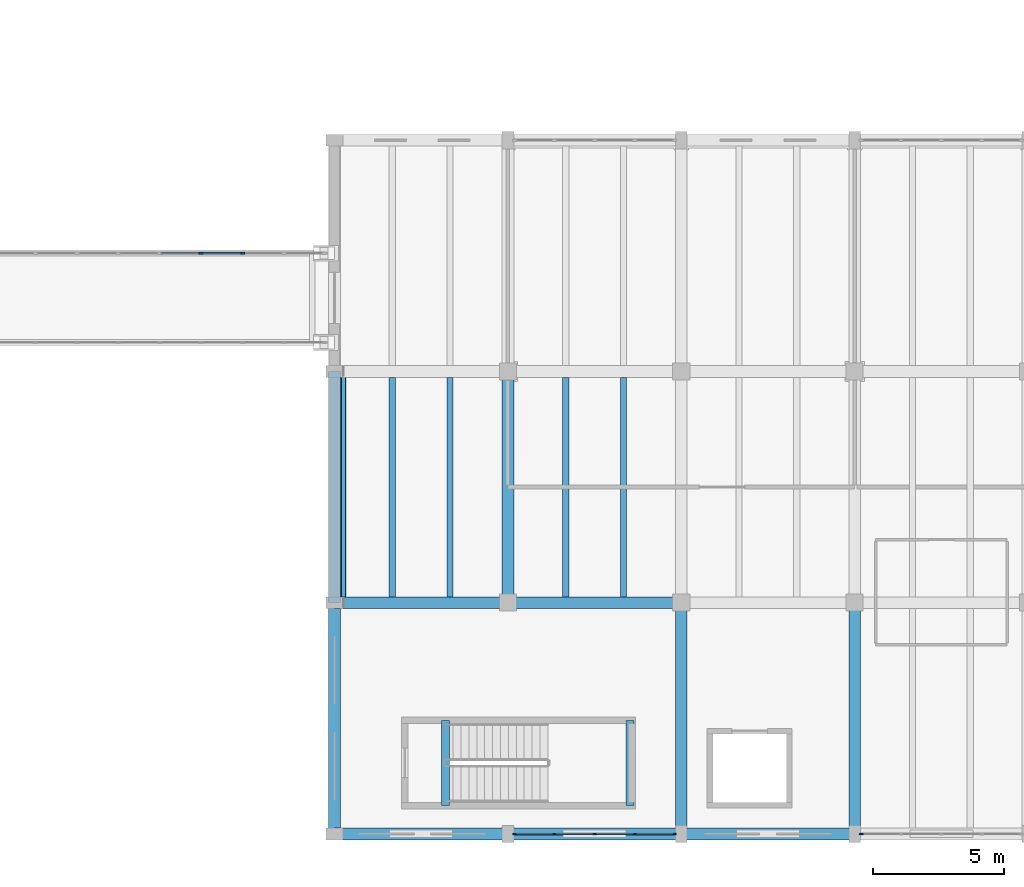
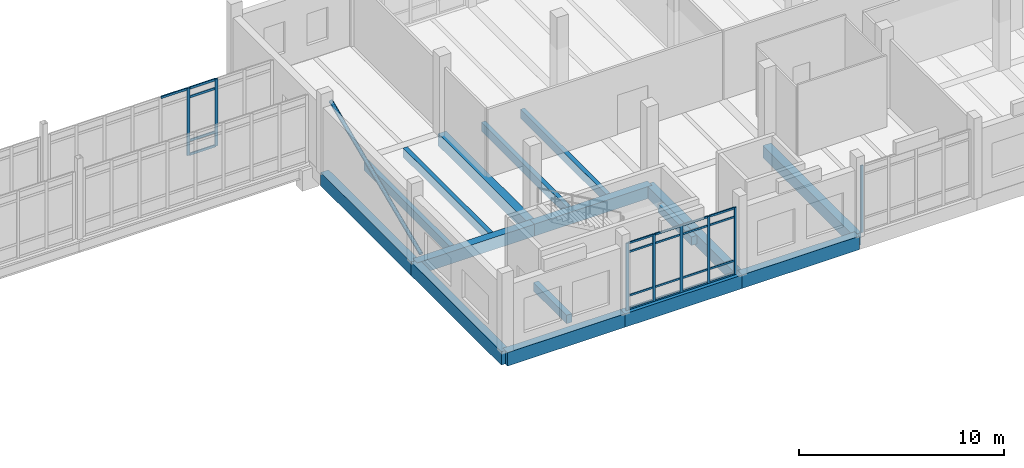
# One storey, part 18 of 101: 30 members, 16 beams, 3 elements without a shape of their own.
"""IFC4 building model written with IfcOpenShell, lengths in metres."""

from ifc_helpers import new_model, si_unit, direction, frame, origin, origin_2d, place, context, subcontext, project, spatial, rectangle, hollow_circle, extrude, material, material_profile, profile_set, type_object, element, aggregate, save


model = new_model("IFC4")

# Units and contexts
model_context = context("Model", 3, precision=1e-05, world=origin(), true_north=direction((0.0, 1.0)))
body_context = subcontext(model_context, "Body", "Model", "MODEL_VIEW")
ifc_project = project(units=[si_unit("LENGTHUNIT", "METRE"), si_unit("AREAUNIT", "SQUARE_METRE"), si_unit("VOLUMEUNIT", "CUBIC_METRE"), si_unit("PLANEANGLEUNIT", "RADIAN"), si_unit("MASSUNIT", "GRAM", prefix="KILO")], contexts=[model_context])

# Site, building, storey
site_placement = place(None, origin())
site = spatial("IfcSite", under=ifc_project, at=site_placement, CompositionType="ELEMENT")
building_placement = place(site_placement, origin())
building = spatial("IfcBuilding", under=site, at=building_placement, Name="Dornvale Research Institute", CompositionType="ELEMENT")
storey_placement = place(building_placement, frame((0.0, 0.0, 10.199951171875)))
storey = spatial("IfcBuildingStorey", under=building, at=storey_placement, Name="L02", CompositionType="ELEMENT", Elevation=10.199951171875)

# Beams
ifc_material_1 = material(Name="Concrete f'c 45 MPa (C35/45)", Category="concrete")
ifc_material_profile_1 = material_profile(ifc_material_1, rectangle(XDim=0.300048828125, YDim=0.5, at=origin_2d()), Name="RC 300x500")
ifc_profile_set_1 = profile_set([ifc_material_profile_1], Name="Concrete f'c 45 MPa (C35/45)")
beam_type_1 = type_object("IfcBeamType", Name="Beam_RC300x500_Trim", PredefinedType="BEAM", material=ifc_profile_set_1)
for number, where, z_axis, x_axis, name in (
    (1, (103.219970703125, 1.080078125, -0.25), (0.0, 1.0, 0.0), (-1.0, 0.0, 0.0), "L02 ST-5 stair landing trimmer beam #79"),
    (2, (110.25, 1.080078125, 1.949951171875), (0.0, 1.0, 0.0), (-1.0, 0.0, 0.0), "L02 ST-5 half-landing support beam #85"),
):
    element("IfcBeam", number, at=place(storey_placement, frame(where, z_axis=z_axis, x_axis=x_axis)), inside=storey, type_object=beam_type_1, Name=name, PredefinedType="BEAM", context=body_context, shape_type="SweptSolid", body=[
        extrude(rectangle(XDim=0.300048828125, YDim=0.5, at=origin_2d()), origin(), (0.0, 0.0, 1.0), 3.239990234375),
    ])
ifc_material_2 = material(Name="Concrete f'c 45 MPa (C35/45)", Category="concrete")
ifc_material_profile_2 = material_profile(ifc_material_2, rectangle(XDim=0.449951171875, YDim=0.715087890625, at=origin_2d()), Name="RC 450x715")
ifc_profile_set_2 = profile_set([ifc_material_profile_2], Name="Concrete f'c 45 MPa (C35/45)")
beam_type_2 = type_object("IfcBeamType", Name="Beam_RC450x715_Lab", PredefinedType="BEAM", material=ifc_profile_set_2)
beam_1_placement = place(storey_placement, frame((99.0, 8.800048828125, -0.357421875), z_axis=(1.0, 0.0, 0.0), x_axis=(0.0, 1.0, 0.0)))
element("IfcBeam", 3, at=beam_1_placement, inside=storey, type_object=beam_type_2, Name="L02 primary girder #710", PredefinedType="BEAM", context=body_context, shape_type="SweptSolid", body=[
    extrude(rectangle(XDim=0.449951171875, YDim=0.715087890625, at=origin_2d()), origin(), (0.0, 0.0, 1.0), 6.60009765625),
])
beam_2_placement = place(storey_placement, frame((105.60009765625, 8.800048828125, -0.357421875), z_axis=(1.0, 0.0, 0.0), x_axis=(0.0, 1.0, 0.0)))
element("IfcBeam", 4, at=beam_2_placement, inside=storey, type_object=beam_type_2, Name="L02 primary girder #711", PredefinedType="BEAM", context=body_context, shape_type="SweptSolid", body=[
    extrude(rectangle(XDim=0.449951171875, YDim=0.715087890625, at=origin_2d()), origin(), (0.0, 0.0, 1.0), 6.599853515625),
])
for number, where, z_axis, x_axis, name in (
    (5, (105.60009765625, 8.800048828125, -0.357421875), (0.0, 1.0, 0.0), (-1.0, 0.0, 0.0), "L02 transverse girder #749"),
    (6, (112.199951171875, 0.0, -0.357421875), (0.0, 1.0, 0.0), (-1.0, 0.0, 0.0), "L02 transverse girder #751"),
    (7, (118.800048828125, 0.0, -0.357421875), (0.0, 1.0, 0.0), (-1.0, 0.0, 0.0), "L02 transverse girder #754"),
):
    element("IfcBeam", number, at=place(storey_placement, frame(where, z_axis=z_axis, x_axis=x_axis)), inside=storey, type_object=beam_type_2, Name=name, PredefinedType="BEAM", context=body_context, shape_type="SweptSolid", body=[
        extrude(rectangle(XDim=0.449951171875, YDim=0.715087890625, at=origin_2d()), origin(), (0.0, 0.0, 1.0), 8.800048828125),
    ])

# Member
ifc_material_3 = material(Name="Steel ASTM A500 Grade C", Category="steel")
ifc_material_profile_3 = material_profile(ifc_material_3, hollow_circle(Radius=0.109619140625, WallThickness=0.0087890625, at=origin_2d()), Name="HSS219X9.5")
ifc_profile_set_3 = profile_set([ifc_material_profile_3], Name="Steel ASTM A500 Grade C")
member_type_1 = type_object("IfcMemberType", Name="Brace_HSS219_Round", PredefinedType="BRACE", material=ifc_profile_set_3)
member_1_placement = place(storey_placement, frame((99.340087890625, 8.800048828125, 0.300048828125), z_axis=(0.0, 0.919954954224, 0.392024083698), x_axis=(-1.0, 0.0, 0.0)))
element("IfcMember", 8, at=member_1_placement, inside=storey, type_object=member_type_1, Name="L02 seismic diagonal brace #52", PredefinedType="BRACE", context=body_context, shape_type="SweptSolid", body=[
    extrude(hollow_circle(Radius=0.109619140625, WallThickness=0.0087890625, at=origin_2d()), origin(), (0.0, 0.0, 1.0), 9.565673828125),
])

# Beams
ifc_material_4 = material(Name="Concrete f'c 45 MPa (C35/45)", Category="concrete")
ifc_material_profile_4 = material_profile(ifc_material_4, rectangle(XDim=0.239990234375, YDim=0.534912109375, at=origin_2d()), Name="RC 240x535")
ifc_profile_set_4 = profile_set([ifc_material_profile_4], Name="Concrete f'c 45 MPa (C35/45)")
beam_type_3 = type_object("IfcBeamType", Name="Joist_RC240x535_Waffle", PredefinedType="JOIST", material=ifc_profile_set_4)
for number, where, z_axis, x_axis, name in (
    (9, (101.199951171875, 9.02490234375, -0.267333984375), (0.0, 1.0, 0.0), (-1.0, 0.0, 0.0), "L02 laboratory waffle joist #353"),
    (10, (103.39990234375, 9.02490234375, -0.267333984375), (0.0, 1.0, 0.0), (-1.0, 0.0, 0.0), "L02 laboratory waffle joist #354"),
    (11, (107.800048828125, 9.02490234375, -0.267333984375), (0.0, 1.0, 0.0), (-1.0, 0.0, 0.0), "L02 laboratory waffle joist #357"),
    (12, (110.0, 9.02490234375, -0.267333984375), (0.0, 1.0, 0.0), (-1.0, 0.0, 0.0), "L02 laboratory waffle joist #358"),
):
    element("IfcBeam", number, at=place(storey_placement, frame(where, z_axis=z_axis, x_axis=x_axis)), inside=storey, type_object=beam_type_3, Name=name, PredefinedType="JOIST", context=body_context, shape_type="SweptSolid", body=[
        extrude(rectangle(XDim=0.239990234375, YDim=0.534912109375, at=origin_2d()), origin(), (0.0, 0.0, 1.0), 8.35009765625),
    ])

# Curtain wall, members
ifc_material_5 = material(Name="Low-E Argon Double Insulating Glazing Unit", Category="glass")
curtain_wall_type_1 = type_object("IfcCurtainWallType", Name="UnitisedCurtainWall_V2_12600x4000", PredefinedType="USERDEFINED", material=ifc_material_5)
curtain_wall_1_placement = place(storey_placement, origin())
curtain_wall_1 = element("IfcCurtainWall", 13, at=curtain_wall_1_placement, inside=storey, type_object=curtain_wall_type_1, Name="L02 V2 unitised curtain wall CW-41 #229", ObjectType="UNITISED CURTAIN WALL", PredefinedType="USERDEFINED")
ifc_material_6 = material(Name="Anodized Aluminum AA 6063-T6 Thermally Broken Frame", Category="aluminium")
ifc_material_profile_5 = material_profile(ifc_material_6, rectangle(XDim=0.06494140625, YDim=0.1650390625, at=origin_2d()), Name="ALU MULLION 65x165")
ifc_profile_set_5 = profile_set([ifc_material_profile_5], Name="Anodized Aluminum AA 6063-T6 Thermally Broken Frame")
member_type_2 = type_object("IfcMemberType", Name="Mullion_Atrium_65x165", PredefinedType="MULLION", material=ifc_profile_set_5)
member_2_placement = place(storey_placement, frame((93.925048828125, 22.10009765625, 0.0), z_axis=(0.0, 0.0, 1.0), x_axis=(0.0, 1.0, 0.0)))
member_2 = element("IfcMember", 14, at=member_2_placement, type_object=member_type_2, Name="CW-41 mullion 6", PredefinedType="MULLION", context=body_context, shape_type="SweptSolid", body=[
    extrude(rectangle(XDim=0.06494140625, YDim=0.1650390625, at=origin_2d()), origin(), (0.0, 0.0, 1.0), 4.0),
])
member_3_placement = place(storey_placement, frame((95.5, 22.10009765625, 0.0), z_axis=(0.0, 0.0, 1.0), x_axis=(0.0, 1.0, 0.0)))
member_3 = element("IfcMember", 15, at=member_3_placement, type_object=member_type_2, Name="CW-41 mullion 7", PredefinedType="MULLION", context=body_context, shape_type="SweptSolid", body=[
    extrude(rectangle(XDim=0.06494140625, YDim=0.1650390625, at=origin_2d()), origin(), (0.0, 0.0, 1.0), 4.0),
])

# Curtain wall, member
ifc_material_7 = material(Name="Low-E Argon Double Insulating Glazing Unit", Category="glass")
curtain_wall_type_2 = type_object("IfcCurtainWallType", Name="UnitisedCurtainWall_V3_6150x4000", PredefinedType="USERDEFINED", material=ifc_material_7)
curtain_wall_2_placement = place(storey_placement, origin())
curtain_wall_2 = element("IfcCurtainWall", 16, at=curtain_wall_2_placement, inside=storey, type_object=curtain_wall_type_2, Name="L02 V3 unitised curtain wall CW-06 #52", ObjectType="UNITISED CURTAIN WALL", PredefinedType="USERDEFINED")
ifc_material_8 = material(Name="Anodized Aluminum AA 6063-T6 Thermally Broken Frame", Category="aluminium")
ifc_material_profile_6 = material_profile(ifc_material_8, rectangle(XDim=0.06494140625, YDim=0.14990234375, at=origin_2d()), Name="ALU MULLION 65x150")
ifc_profile_set_6 = profile_set([ifc_material_profile_6], Name="Anodized Aluminum AA 6063-T6 Thermally Broken Frame")
member_type_3 = type_object("IfcMemberType", Name="Mullion_CW_65x150", PredefinedType="MULLION", material=ifc_profile_set_6)
member_4_placement = place(storey_placement, frame((119.0576171875, 0.0, 0.0), z_axis=(0.0, 0.0, 1.0), x_axis=(0.0, -1.0, 0.0)))
member_4 = element("IfcMember", 17, at=member_4_placement, type_object=member_type_3, Name="CW-06 mullion 5", PredefinedType="MULLION", context=body_context, shape_type="SweptSolid", body=[
    extrude(rectangle(XDim=0.06494140625, YDim=0.14990234375, at=origin_2d()), origin(), (0.0, 0.0, 1.0), 4.0),
])
aggregate(curtain_wall_2, [member_4])

# Curtain wall, members
curtain_wall_3_placement = place(storey_placement, origin())
curtain_wall_3 = element("IfcCurtainWall", 18, at=curtain_wall_3_placement, inside=storey, type_object=curtain_wall_type_2, Name="L02 V3 unitised curtain wall CW-06 #53", ObjectType="UNITISED CURTAIN WALL", PredefinedType="USERDEFINED")
member_5_placement = place(storey_placement, frame((111.9423828125, 0.0, 0.0), z_axis=(0.0, 0.0, 1.0), x_axis=(0.0, -1.0, 0.0)))
member_5 = element("IfcMember", 19, at=member_5_placement, type_object=member_type_3, Name="CW-06 mullion 1", PredefinedType="MULLION", context=body_context, shape_type="SweptSolid", body=[
    extrude(rectangle(XDim=0.06494140625, YDim=0.14990234375, at=origin_2d()), origin(), (0.0, 0.0, 1.0), 4.0),
])
member_6_placement = place(storey_placement, frame((110.4375, 0.0, 0.0), z_axis=(0.0, 0.0, 1.0), x_axis=(0.0, -1.0, 0.0)))
member_6 = element("IfcMember", 20, at=member_6_placement, type_object=member_type_3, Name="CW-06 mullion 2", PredefinedType="MULLION", context=body_context, shape_type="SweptSolid", body=[
    extrude(rectangle(XDim=0.06494140625, YDim=0.14990234375, at=origin_2d()), origin(), (0.0, 0.0, 1.0), 4.0),
])
member_7_placement = place(storey_placement, frame((108.89990234375, 0.0, 0.0), z_axis=(0.0, 0.0, 1.0), x_axis=(0.0, -1.0, 0.0)))
member_7 = element("IfcMember", 21, at=member_7_placement, type_object=member_type_3, Name="CW-06 mullion 3", PredefinedType="MULLION", context=body_context, shape_type="SweptSolid", body=[
    extrude(rectangle(XDim=0.06494140625, YDim=0.14990234375, at=origin_2d()), origin(), (0.0, 0.0, 1.0), 4.0),
])
member_8_placement = place(storey_placement, frame((107.362548828125, 0.0, 0.0), z_axis=(0.0, 0.0, 1.0), x_axis=(0.0, -1.0, 0.0)))
member_8 = element("IfcMember", 22, at=member_8_placement, type_object=member_type_3, Name="CW-06 mullion 4", PredefinedType="MULLION", context=body_context, shape_type="SweptSolid", body=[
    extrude(rectangle(XDim=0.06494140625, YDim=0.14990234375, at=origin_2d()), origin(), (0.0, 0.0, 1.0), 4.0),
])
member_9_placement = place(storey_placement, frame((105.857421875, 0.0, 0.0), z_axis=(0.0, 0.0, 1.0), x_axis=(0.0, -1.0, 0.0)))
member_9 = element("IfcMember", 23, at=member_9_placement, type_object=member_type_3, Name="CW-06 mullion 5", PredefinedType="MULLION", context=body_context, shape_type="SweptSolid", body=[
    extrude(rectangle(XDim=0.06494140625, YDim=0.14990234375, at=origin_2d()), origin(), (0.0, 0.0, 1.0), 4.0),
])

# Beams
ifc_material_9 = material(Name="Concrete f'c 45 MPa (C35/45)", Category="concrete")
ifc_material_profile_7 = material_profile(ifc_material_9, rectangle(XDim=0.449951171875, YDim=0.800048828125, at=origin_2d()), Name="RC 450x800")
ifc_profile_set_7 = profile_set([ifc_material_profile_7], Name="Concrete f'c 45 MPa (C35/45)")
beam_type_4 = type_object("IfcBeamType", Name="Spandrel_RC450x800_Ext", PredefinedType="SPANDREL", material=ifc_profile_set_7)
beam_3_placement = place(storey_placement, frame((99.0, 0.0, -0.39990234375), z_axis=(1.0, 0.0, 0.0), x_axis=(0.0, 1.0, 0.0)))
element("IfcBeam", 24, at=beam_3_placement, inside=storey, type_object=beam_type_4, Name="L02 perimeter spandrel #698", PredefinedType="SPANDREL", context=body_context, shape_type="SweptSolid", body=[
    extrude(rectangle(XDim=0.449951171875, YDim=0.800048828125, at=origin_2d()), origin(), (0.0, 0.0, 1.0), 6.60009765625),
])
beam_4_placement = place(storey_placement, frame((105.60009765625, 0.0, -0.39990234375), z_axis=(1.0, 0.0, 0.0), x_axis=(0.0, 1.0, 0.0)))
element("IfcBeam", 25, at=beam_4_placement, inside=storey, type_object=beam_type_4, Name="L02 perimeter spandrel #699", PredefinedType="SPANDREL", context=body_context, shape_type="SweptSolid", body=[
    extrude(rectangle(XDim=0.449951171875, YDim=0.800048828125, at=origin_2d()), origin(), (0.0, 0.0, 1.0), 6.599853515625),
])
beam_5_placement = place(storey_placement, frame((112.199951171875, 0.0, -0.39990234375), z_axis=(1.0, 0.0, 0.0), x_axis=(0.0, 1.0, 0.0)))
element("IfcBeam", 26, at=beam_5_placement, inside=storey, type_object=beam_type_4, Name="L02 perimeter spandrel #700", PredefinedType="SPANDREL", context=body_context, shape_type="SweptSolid", body=[
    extrude(rectangle(XDim=0.449951171875, YDim=0.800048828125, at=origin_2d()), origin(), (0.0, 0.0, 1.0), 6.60009765625),
])
for number, where, z_axis, x_axis, name in (
    (27, (99.0, 0.0, -0.39990234375), (0.0, 1.0, 0.0), (-1.0, 0.0, 0.0), "L02 perimeter spandrel #746"),
    (28, (99.0, 8.800048828125, -0.39990234375), (0.0, 1.0, 0.0), (-1.0, 0.0, 0.0), "L02 perimeter spandrel #747"),
):
    element("IfcBeam", number, at=place(storey_placement, frame(where, z_axis=z_axis, x_axis=x_axis)), inside=storey, type_object=beam_type_4, Name=name, PredefinedType="SPANDREL", context=body_context, shape_type="SweptSolid", body=[
        extrude(rectangle(XDim=0.449951171875, YDim=0.800048828125, at=origin_2d()), origin(), (0.0, 0.0, 1.0), 8.800048828125),
    ])

# Member
ifc_material_10 = material(Name="Anodized Aluminum AA 6063-T6 Thermally Broken Frame", Category="aluminium")
ifc_material_profile_8 = material_profile(ifc_material_10, rectangle(XDim=0.06494140625, YDim=0.110107421875, at=origin_2d()), Name="ALU TRANSOM 65x110")
ifc_profile_set_8 = profile_set([ifc_material_profile_8], Name="Anodized Aluminum AA 6063-T6 Thermally Broken Frame")
member_type_4 = type_object("IfcMemberType", Name="Transom_CW_65x110", PredefinedType="USERDEFINED", material=ifc_profile_set_8)
member_10_placement = place(storey_placement, frame((111.909912109375, 0.0, 0.032470703125), z_axis=(-1.0, 0.0, 0.0), x_axis=(0.0, -1.0, 0.0)))
member_10 = element("IfcMember", 29, at=member_10_placement, type_object=member_type_4, Name="CW-06 transom 1.1", ObjectType="TRANSOM", PredefinedType="USERDEFINED", context=body_context, shape_type="SweptSolid", body=[
    extrude(rectangle(XDim=0.06494140625, YDim=0.110107421875, at=origin_2d()), origin(), (0.0, 0.0, 1.0), 1.43994140625),
])

member_11_placement = place(storey_placement, frame((111.909912109375, 0.0, 0.85009765625), z_axis=(-1.0, 0.0, 0.0), x_axis=(0.0, -1.0, 0.0)))
member_11 = element("IfcMember", 30, at=member_11_placement, type_object=member_type_4, Name="CW-06 transom 1.2", ObjectType="TRANSOM", PredefinedType="USERDEFINED", context=body_context, shape_type="SweptSolid", body=[
    extrude(rectangle(XDim=0.06494140625, YDim=0.110107421875, at=origin_2d()), origin(), (0.0, 0.0, 1.0), 1.43994140625),
])

member_12_placement = place(storey_placement, frame((111.909912109375, 0.0, 3.449951171875), z_axis=(-1.0, 0.0, 0.0), x_axis=(0.0, -1.0, 0.0)))
member_12 = element("IfcMember", 31, at=member_12_placement, type_object=member_type_4, Name="CW-06 transom 1.3", ObjectType="TRANSOM", PredefinedType="USERDEFINED", context=body_context, shape_type="SweptSolid", body=[
    extrude(rectangle(XDim=0.06494140625, YDim=0.110107421875, at=origin_2d()), origin(), (0.0, 0.0, 1.0), 1.43994140625),
])

member_13_placement = place(storey_placement, frame((111.909912109375, 0.0, 3.967529296875), z_axis=(-1.0, 0.0, 0.0), x_axis=(0.0, -1.0, 0.0)))
member_13 = element("IfcMember", 32, at=member_13_placement, type_object=member_type_4, Name="CW-06 transom 1.4", ObjectType="TRANSOM", PredefinedType="USERDEFINED", context=body_context, shape_type="SweptSolid", body=[
    extrude(rectangle(XDim=0.06494140625, YDim=0.110107421875, at=origin_2d()), origin(), (0.0, 0.0, 1.0), 1.43994140625),
])

member_14_placement = place(storey_placement, frame((110.405029296875, 0.0, 0.032470703125), z_axis=(-1.0, 0.0, 0.0), x_axis=(0.0, -1.0, 0.0)))
member_14 = element("IfcMember", 33, at=member_14_placement, type_object=member_type_4, Name="CW-06 transom 2.1", ObjectType="TRANSOM", PredefinedType="USERDEFINED", context=body_context, shape_type="SweptSolid", body=[
    extrude(rectangle(XDim=0.06494140625, YDim=0.110107421875, at=origin_2d()), origin(), (0.0, 0.0, 1.0), 1.472412109375),
])

member_15_placement = place(storey_placement, frame((110.405029296875, 0.0, 0.85009765625), z_axis=(-1.0, 0.0, 0.0), x_axis=(0.0, -1.0, 0.0)))
member_15 = element("IfcMember", 34, at=member_15_placement, type_object=member_type_4, Name="CW-06 transom 2.2", ObjectType="TRANSOM", PredefinedType="USERDEFINED", context=body_context, shape_type="SweptSolid", body=[
    extrude(rectangle(XDim=0.06494140625, YDim=0.110107421875, at=origin_2d()), origin(), (0.0, 0.0, 1.0), 1.472412109375),
])

member_16_placement = place(storey_placement, frame((110.405029296875, 0.0, 3.449951171875), z_axis=(-1.0, 0.0, 0.0), x_axis=(0.0, -1.0, 0.0)))
member_16 = element("IfcMember", 35, at=member_16_placement, type_object=member_type_4, Name="CW-06 transom 2.3", ObjectType="TRANSOM", PredefinedType="USERDEFINED", context=body_context, shape_type="SweptSolid", body=[
    extrude(rectangle(XDim=0.06494140625, YDim=0.110107421875, at=origin_2d()), origin(), (0.0, 0.0, 1.0), 1.472412109375),
])

member_17_placement = place(storey_placement, frame((110.405029296875, 0.0, 3.967529296875), z_axis=(-1.0, 0.0, 0.0), x_axis=(0.0, -1.0, 0.0)))
member_17 = element("IfcMember", 36, at=member_17_placement, type_object=member_type_4, Name="CW-06 transom 2.4", ObjectType="TRANSOM", PredefinedType="USERDEFINED", context=body_context, shape_type="SweptSolid", body=[
    extrude(rectangle(XDim=0.06494140625, YDim=0.110107421875, at=origin_2d()), origin(), (0.0, 0.0, 1.0), 1.472412109375),
])

member_18_placement = place(storey_placement, frame((108.867431640625, 0.0, 0.032470703125), z_axis=(-1.0, 0.0, 0.0), x_axis=(0.0, -1.0, 0.0)))
member_18 = element("IfcMember", 37, at=member_18_placement, type_object=member_type_4, Name="CW-06 transom 3.1", ObjectType="TRANSOM", PredefinedType="USERDEFINED", context=body_context, shape_type="SweptSolid", body=[
    extrude(rectangle(XDim=0.06494140625, YDim=0.110107421875, at=origin_2d()), origin(), (0.0, 0.0, 1.0), 1.472412109375),
])

member_19_placement = place(storey_placement, frame((108.867431640625, 0.0, 0.85009765625), z_axis=(-1.0, 0.0, 0.0), x_axis=(0.0, -1.0, 0.0)))
member_19 = element("IfcMember", 38, at=member_19_placement, type_object=member_type_4, Name="CW-06 transom 3.2", ObjectType="TRANSOM", PredefinedType="USERDEFINED", context=body_context, shape_type="SweptSolid", body=[
    extrude(rectangle(XDim=0.06494140625, YDim=0.110107421875, at=origin_2d()), origin(), (0.0, 0.0, 1.0), 1.472412109375),
])

member_20_placement = place(storey_placement, frame((108.867431640625, 0.0, 3.449951171875), z_axis=(-1.0, 0.0, 0.0), x_axis=(0.0, -1.0, 0.0)))
member_20 = element("IfcMember", 39, at=member_20_placement, type_object=member_type_4, Name="CW-06 transom 3.3", ObjectType="TRANSOM", PredefinedType="USERDEFINED", context=body_context, shape_type="SweptSolid", body=[
    extrude(rectangle(XDim=0.06494140625, YDim=0.110107421875, at=origin_2d()), origin(), (0.0, 0.0, 1.0), 1.472412109375),
])

member_21_placement = place(storey_placement, frame((108.867431640625, 0.0, 3.967529296875), z_axis=(-1.0, 0.0, 0.0), x_axis=(0.0, -1.0, 0.0)))
member_21 = element("IfcMember", 40, at=member_21_placement, type_object=member_type_4, Name="CW-06 transom 3.4", ObjectType="TRANSOM", PredefinedType="USERDEFINED", context=body_context, shape_type="SweptSolid", body=[
    extrude(rectangle(XDim=0.06494140625, YDim=0.110107421875, at=origin_2d()), origin(), (0.0, 0.0, 1.0), 1.472412109375),
])

member_22_placement = place(storey_placement, frame((107.330078125, 0.0, 0.032470703125), z_axis=(-1.0, 0.0, 0.0), x_axis=(0.0, -1.0, 0.0)))
member_22 = element("IfcMember", 41, at=member_22_placement, type_object=member_type_4, Name="CW-06 transom 4.1", ObjectType="TRANSOM", PredefinedType="USERDEFINED", context=body_context, shape_type="SweptSolid", body=[
    extrude(rectangle(XDim=0.06494140625, YDim=0.110107421875, at=origin_2d()), origin(), (0.0, 0.0, 1.0), 1.440185546875),
])

member_23_placement = place(storey_placement, frame((107.330078125, 0.0, 0.85009765625), z_axis=(-1.0, 0.0, 0.0), x_axis=(0.0, -1.0, 0.0)))
member_23 = element("IfcMember", 42, at=member_23_placement, type_object=member_type_4, Name="CW-06 transom 4.2", ObjectType="TRANSOM", PredefinedType="USERDEFINED", context=body_context, shape_type="SweptSolid", body=[
    extrude(rectangle(XDim=0.06494140625, YDim=0.110107421875, at=origin_2d()), origin(), (0.0, 0.0, 1.0), 1.440185546875),
])

member_24_placement = place(storey_placement, frame((107.330078125, 0.0, 3.449951171875), z_axis=(-1.0, 0.0, 0.0), x_axis=(0.0, -1.0, 0.0)))
member_24 = element("IfcMember", 43, at=member_24_placement, type_object=member_type_4, Name="CW-06 transom 4.3", ObjectType="TRANSOM", PredefinedType="USERDEFINED", context=body_context, shape_type="SweptSolid", body=[
    extrude(rectangle(XDim=0.06494140625, YDim=0.110107421875, at=origin_2d()), origin(), (0.0, 0.0, 1.0), 1.440185546875),
])

member_25_placement = place(storey_placement, frame((107.330078125, 0.0, 3.967529296875), z_axis=(-1.0, 0.0, 0.0), x_axis=(0.0, -1.0, 0.0)))
member_25 = element("IfcMember", 44, at=member_25_placement, type_object=member_type_4, Name="CW-06 transom 4.4", ObjectType="TRANSOM", PredefinedType="USERDEFINED", context=body_context, shape_type="SweptSolid", body=[
    extrude(rectangle(XDim=0.06494140625, YDim=0.110107421875, at=origin_2d()), origin(), (0.0, 0.0, 1.0), 1.440185546875),
])

aggregate(curtain_wall_3, [member_5, member_6, member_7, member_8, member_9, member_10, member_11, member_12, member_13, member_14, member_15, member_16, member_17, member_18, member_19, member_20, member_21, member_22, member_23, member_24, member_25])

ifc_material_11 = material(Name="Anodized Aluminum AA 6063-T6 Thermally Broken Frame", Category="aluminium")
ifc_material_profile_9 = material_profile(ifc_material_11, rectangle(XDim=0.06494140625, YDim=0.135009765625, at=origin_2d()), Name="ALU TRANSOM 65x135")
ifc_profile_set_9 = profile_set([ifc_material_profile_9], Name="Anodized Aluminum AA 6063-T6 Thermally Broken Frame")
member_type_5 = type_object("IfcMemberType", Name="Transom_CW_65x135", PredefinedType="USERDEFINED", material=ifc_profile_set_9)
member_26_placement = place(storey_placement, frame((92.382568359375, 22.10009765625, 3.967529296875), z_axis=(1.0, 0.0, 0.0), x_axis=(0.0, 1.0, 0.0)))
member_26 = element("IfcMember", 45, at=member_26_placement, type_object=member_type_5, Name="CW-41 transom 5.4", ObjectType="TRANSOM", PredefinedType="USERDEFINED", context=body_context, shape_type="SweptSolid", body=[
    extrude(rectangle(XDim=0.06494140625, YDim=0.135009765625, at=origin_2d()), origin(), (0.0, 0.0, 1.0), 1.510009765625),
])

member_27_placement = place(storey_placement, frame((93.95751953125, 22.10009765625, 0.032470703125), z_axis=(1.0, 0.0, 0.0), x_axis=(0.0, 1.0, 0.0)))
member_27 = element("IfcMember", 46, at=member_27_placement, type_object=member_type_5, Name="CW-41 transom 6.1", ObjectType="TRANSOM", PredefinedType="USERDEFINED", context=body_context, shape_type="SweptSolid", body=[
    extrude(rectangle(XDim=0.06494140625, YDim=0.135009765625, at=origin_2d()), origin(), (0.0, 0.0, 1.0), 1.510009765625),
])

member_28_placement = place(storey_placement, frame((93.95751953125, 22.10009765625, 0.85009765625), z_axis=(1.0, 0.0, 0.0), x_axis=(0.0, 1.0, 0.0)))
member_28 = element("IfcMember", 47, at=member_28_placement, type_object=member_type_5, Name="CW-41 transom 6.2", ObjectType="TRANSOM", PredefinedType="USERDEFINED", context=body_context, shape_type="SweptSolid", body=[
    extrude(rectangle(XDim=0.06494140625, YDim=0.135009765625, at=origin_2d()), origin(), (0.0, 0.0, 1.0), 1.510009765625),
])

member_29_placement = place(storey_placement, frame((93.95751953125, 22.10009765625, 3.449951171875), z_axis=(1.0, 0.0, 0.0), x_axis=(0.0, 1.0, 0.0)))
member_29 = element("IfcMember", 48, at=member_29_placement, type_object=member_type_5, Name="CW-41 transom 6.3", ObjectType="TRANSOM", PredefinedType="USERDEFINED", context=body_context, shape_type="SweptSolid", body=[
    extrude(rectangle(XDim=0.06494140625, YDim=0.135009765625, at=origin_2d()), origin(), (0.0, 0.0, 1.0), 1.510009765625),
])

member_30_placement = place(storey_placement, frame((93.95751953125, 22.10009765625, 3.967529296875), z_axis=(1.0, 0.0, 0.0), x_axis=(0.0, 1.0, 0.0)))
member_30 = element("IfcMember", 49, at=member_30_placement, type_object=member_type_5, Name="CW-41 transom 6.4", ObjectType="TRANSOM", PredefinedType="USERDEFINED", context=body_context, shape_type="SweptSolid", body=[
    extrude(rectangle(XDim=0.06494140625, YDim=0.135009765625, at=origin_2d()), origin(), (0.0, 0.0, 1.0), 1.510009765625),
])

aggregate(curtain_wall_1, [member_2, member_3, member_26, member_27, member_28, member_29, member_30])

save(model, "model.ifc")
